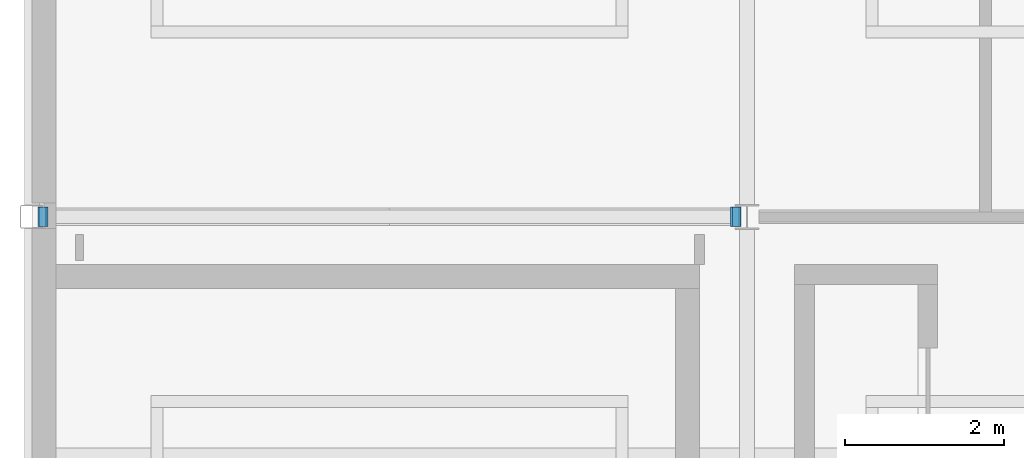
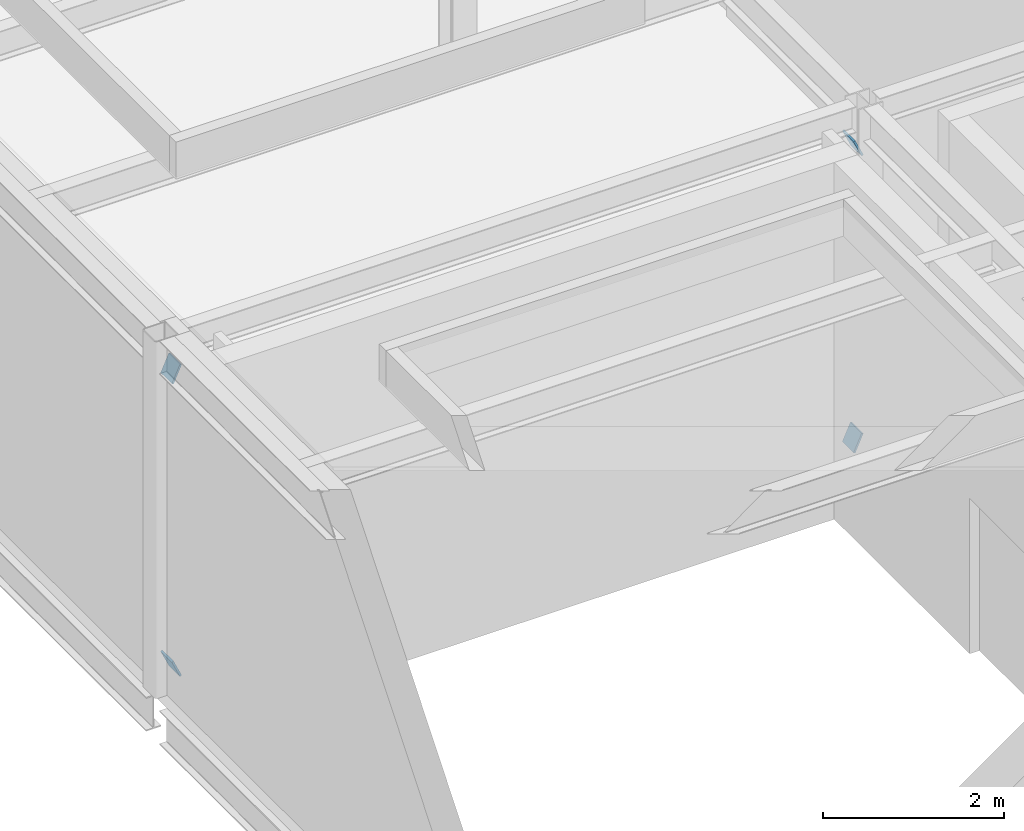
# One storey, part 96 of 115: 4 discrete accessories.
"""IFC4 building model written with IfcOpenShell, lengths in metres."""

from ifc_helpers import new_model, si_unit, direction, frame, origin, place, context, subcontext, project, spatial, polyline, outline, extrude, material, layer, layer_set, type_object, element, save


model = new_model("IFC4")

# Units and contexts
model_context = context("Model", 3, precision=1e-05, world=origin(), true_north=direction((0.0, 1.0)))
body_context = subcontext(model_context, "Body", "Model", "MODEL_VIEW")
ifc_project = project(units=[si_unit("LENGTHUNIT", "METRE"), si_unit("AREAUNIT", "SQUARE_METRE"), si_unit("VOLUMEUNIT", "CUBIC_METRE"), si_unit("PLANEANGLEUNIT", "RADIAN"), si_unit("MASSUNIT", "GRAM", prefix="KILO")], contexts=[model_context])

# Site, building, storey
site_placement = place(None, origin())
site = spatial("IfcSite", under=ifc_project, at=site_placement, CompositionType="ELEMENT")
building_placement = place(site_placement, origin())
building = spatial("IfcBuilding", under=site, at=building_placement, Name="Shorebreak Coast Museum", CompositionType="ELEMENT")
storey_placement = place(building_placement, frame((0.0, 0.0, 11.0)))
storey = spatial("IfcBuildingStorey", under=building, at=storey_placement, Name="L02", CompositionType="ELEMENT", Elevation=11.0)

# Discrete accessories
ifc_material = material(Name="Steel Grade 300", Category="steel")
ifc_layer = layer(ifc_material, 0.02490234375)
ifc_layer_set = layer_set([ifc_layer], Name="Steel Grade 300")
discrete_accessory_type = type_object("IfcDiscreteAccessoryType", Name="End plate 250 x 250 x 25", PredefinedType="BRACKET", material=ifc_layer_set)
discrete_accessory_1_placement = place(storey_placement, frame((0.201904296875, 62.875, 0.186279296875), z_axis=(0.909495559707, 0.0, 0.41571363566), x_axis=(0.0, 1.0, 0.0)))
element("IfcDiscreteAccessory", 1, at=discrete_accessory_1_placement, inside=storey, type_object=discrete_accessory_type, Name="End plate X-brace bay 05 L02 diagonal 1 end 1", PredefinedType="BRACKET", context=body_context, shape_type="SweptSolid", body=[
    extrude(outline(polyline([(0.0, 0.0), (0.25, 0.0), (0.25, 0.2501816089936223), (0.0, 0.2501816089936223), (0.0, 0.0)])), origin(), (0.0, 0.0, -1.0), 0.02490234375),
])
discrete_accessory_2_placement = place(storey_placement, frame((8.921142578125, 62.875, 4.171630859375), z_axis=(0.909864310999, 0.0, 0.41490593581), x_axis=(0.0, 1.0, 0.0)))
element("IfcDiscreteAccessory", 2, at=discrete_accessory_2_placement, inside=storey, type_object=discrete_accessory_type, Name="End plate X-brace bay 05 L02 diagonal 1 end 2", PredefinedType="BRACKET", context=body_context, shape_type="SweptSolid", body=[
    extrude(outline(polyline([(0.0, 0.0), (0.25, 0.0), (0.25, 0.2500802149829807), (0.0, 0.2500802149829807), (0.0, 0.0)])), origin(), (0.0, 0.0, -1.0), 0.02490234375),
])
for number, where, z_axis, x_axis, name in (
    (3, (8.79443359375, 63.125, 0.186279296875), (-0.909495559707, 0.0, 0.41571363566), (0.0, -1.0, 0.0), "End plate X-brace bay 05 L02 diagonal 2 end 1"),
    (4, (0.0751953125, 63.125, 4.171630859375), (-0.909495559707, 0.0, 0.41571363566), (0.0, -1.0, 0.0), "End plate X-brace bay 05 L02 diagonal 2 end 2"),
):
    element("IfcDiscreteAccessory", number, at=place(storey_placement, frame(where, z_axis=z_axis, x_axis=x_axis)), inside=storey, type_object=discrete_accessory_type, Name=name, PredefinedType="BRACKET", context=body_context, shape_type="SweptSolid", body=[
        extrude(outline(polyline([(0.0, 0.0), (0.25, 0.0), (0.25, 0.2501816089936223), (0.0, 0.2501816089936223), (0.0, 0.0)])), origin(), (0.0, 0.0, -1.0), 0.02490234375),
    ])

save(model, "model.ifc")
